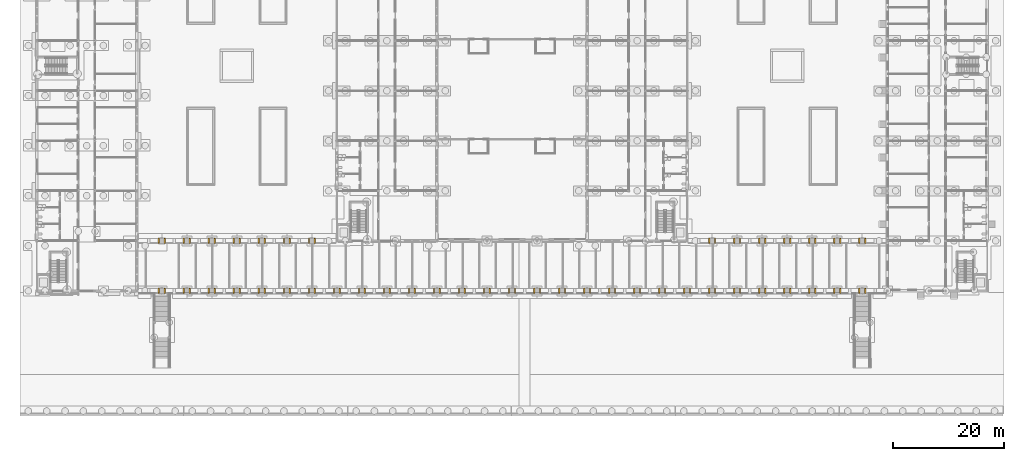
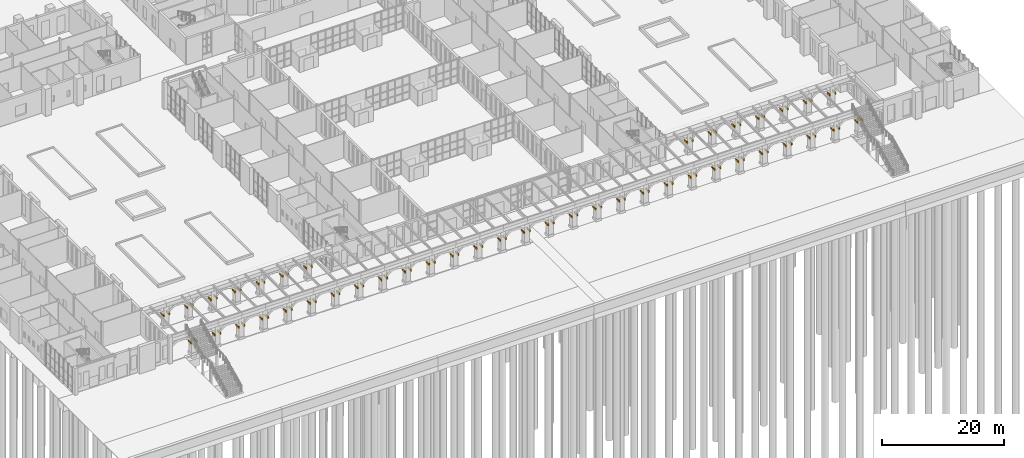
# One storey, part 165 of 168: 86 coverings.
"""IFC4 building model written with IfcOpenShell, lengths in metres."""

import ifcopenshell
import ifcopenshell.guid

model = None  # the IFC model being written
_history = None  # IfcOwnerHistory: only IFC2X3 demands one
_inside = {}  # id of a spatial element -> (the spatial element, [elements in it])
_under = {}  # id of a project, library or spatial element -> (it, [spatial elements below it])
_declared = {}  # id of a project -> (the project, [libraries it declares])
_typed = {}  # id of a type object -> (the type object, [elements of that type])
_made_of = {}  # id of a material, layer set ... -> (it, [elements and type objects made of it])


def new_model(schema):
    """Start an empty IFC model of exactly this schema.

    Asked for "IFC4X3", IfcOpenShell would pick the latest addendum, in which some entities
    have other attributes; the version numbers below select the first issue.
    IFC2X3 requires an IfcOwnerHistory on every rooted entity: one is made here for all.
    """
    global model, _history
    if schema == "IFC4X3":
        model = ifcopenshell.file(schema_version=(4, 3, 0, 0))
    else:
        model = ifcopenshell.file(schema=schema)
    _inside.clear()
    _under.clear()
    _declared.clear()
    _typed.clear()
    _made_of.clear()
    _history = None
    if model.schema == "IFC2X3":
        org = make("IfcOrganization", Name="unknown")
        user = make(
            "IfcPersonAndOrganization",
            ThePerson=make("IfcPerson", FamilyName="unknown"),
            TheOrganization=org,
        )
        app = make(
            "IfcApplication",
            ApplicationDeveloper=org,
            Version="unknown",
            ApplicationFullName="unknown",
            ApplicationIdentifier="unknown",
        )
        _history = make(
            "IfcOwnerHistory",
            OwningUser=user,
            OwningApplication=app,
            ChangeAction="ADDED",
            CreationDate=0,
        )
    return model


def make(cls, **values):
    """One entity of the class cls with the attributes given. An attribute that is None is left unset."""
    return model.create_entity(
        cls, **{name: value for name, value in values.items() if value is not None}
    )


def rooted(cls, **values):
    """An entity with a GlobalId (a new one), such as an element, a storey or a relation."""
    return make(cls, GlobalId=ifcopenshell.guid.new(), OwnerHistory=_history, **values)


def si_unit(unit_type, name, prefix=None):
    """IfcSIUnit, for example si_unit("LENGTHUNIT", "METRE", prefix="MILLI")."""
    return make("IfcSIUnit", UnitType=unit_type, Prefix=prefix, Name=name)


def assignment(units):
    """IfcUnitAssignment: the units of a project."""
    return None if units is None else make("IfcUnitAssignment", Units=units)


def point(xyz):
    """IfcCartesianPoint."""
    return None if xyz is None else make("IfcCartesianPoint", Coordinates=xyz)


def direction(xyz):
    """IfcDirection."""
    return None if xyz is None else make("IfcDirection", DirectionRatios=xyz)


def frame(location, z_axis=None, x_axis=None):
    """IfcAxis2Placement3D, a coordinate frame: its origin and axes. An axis left out is left unset."""
    return make(
        "IfcAxis2Placement3D",
        Location=point(location),
        Axis=direction(z_axis),
        RefDirection=direction(x_axis),
    )


def frame_2d(location, x_axis=None):
    """IfcAxis2Placement2D, a coordinate frame in the plane: its origin and x axis."""
    return make(
        "IfcAxis2Placement2D", Location=point(location), RefDirection=direction(x_axis)
    )


def origin():
    """The frame at (0, 0, 0) with its axes left unset."""
    return frame((0.0, 0.0, 0.0))


def origin_2d():
    """The frame at (0, 0) in the plane with its x axis left unset."""
    return frame_2d((0.0, 0.0))


def place(relative_to, where):
    """IfcLocalPlacement: puts the frame where relative to a parent placement (None: the world)."""
    return make(
        "IfcLocalPlacement", PlacementRelTo=relative_to, RelativePlacement=where
    )


def context(
    kind, dimensions, precision=None, world=None, true_north=None, identifier=None
):
    """IfcGeometricRepresentationContext, for example the 3D "Model" context."""
    return make(
        "IfcGeometricRepresentationContext",
        ContextIdentifier=identifier,
        ContextType=kind,
        CoordinateSpaceDimension=dimensions,
        Precision=precision,
        WorldCoordinateSystem=world,
        TrueNorth=true_north,
    )


def subcontext(parent, identifier, kind, view, scale=None):
    """IfcGeometricRepresentationSubContext, for example "Body" below "Model"."""
    return make(
        "IfcGeometricRepresentationSubContext",
        ContextIdentifier=identifier,
        ContextType=kind,
        ParentContext=parent,
        TargetScale=scale,
        TargetView=view,
    )


def project(units=None, contexts=None):
    """IfcProject with its units and contexts."""
    return rooted(
        "IfcProject",
        Name="project",
        RepresentationContexts=contexts,
        UnitsInContext=assignment(units),
    )


def spatial(cls, under=None, at=None, **own):
    """A site, building, storey or space (cls), placed at a placement, below another one or the project."""
    s = rooted(cls, ObjectPlacement=at, **own)
    if under is not None:
        _under.setdefault(under.id(), (under, []))[1].append(s)
    return s


def profile(cls, at=None, kind="AREA", **sizes):
    """A parametric profile (cls). Its sizes go by their IFC names, for example OverallWidth=200.0."""
    return make(cls, ProfileType=kind, Position=at, **sizes)


def rectangle(**sizes):
    """IfcRectangleProfileDef."""
    return profile("IfcRectangleProfileDef", **sizes)


def extrude(swept, where, along, depth):
    """IfcExtrudedAreaSolid: the profile swept, set in the frame where, extruded along a direction by depth."""
    return make(
        "IfcExtrudedAreaSolid",
        SweptArea=swept,
        Position=where,
        ExtrudedDirection=direction(along),
        Depth=depth,
    )


def shape(context_of_items, identifier, shape_type, items):
    """IfcShapeRepresentation: the items that make up one representation, for example the "Body"."""
    return make(
        "IfcShapeRepresentation",
        ContextOfItems=context_of_items,
        RepresentationIdentifier=identifier,
        RepresentationType=shape_type,
        Items=items,
    )


def material(Name=None, Category=None):
    """IfcMaterial."""
    return make("IfcMaterial", Name=Name, Category=Category)


def material_profile(
    of_material, cross_section, Name=None, Category=None, Priority=None
):
    """IfcMaterialProfile: a cross section and its material."""
    return make(
        "IfcMaterialProfile",
        Name=Name,
        Material=of_material,
        Profile=cross_section,
        Priority=Priority,
        Category=Category,
    )


def profile_set(profiles, Name=None, composite=None):
    """IfcMaterialProfileSet."""
    return make(
        "IfcMaterialProfileSet",
        Name=Name,
        MaterialProfiles=profiles,
        CompositeProfile=composite,
    )


def made_of(thing, what):
    """Note that an element or type object is made of a material, layer set ...; save() writes the relation."""
    if what is not None:
        _made_of.setdefault(what.id(), (what, []))[1].append(thing)
    return thing


def type_object(cls, material=None, **own):
    """A type object (cls), such as IfcWallType, which elements share."""
    return made_of(rooted(cls, **own), material)


def element(
    cls,
    number,
    at=None,
    inside=None,
    cuts=None,
    type_object=None,
    material=None,
    context=None,
    identifier="Body",
    shape_type=None,
    held_by="IfcProductDefinitionShape",
    body=None,
    shapes=None,
    **own,
):
    """One element of the class cls, such as IfcWall. Its Tag is "e" and its number.

    at: its placement. inside: the storey or other place that contains it. cuts: it is an
    opening in that element (IfcRelVoidsElement). A single representation is given by context,
    identifier, shape_type and body (its items); several are given by shapes. held_by: the class
    of the entity that holds the representations. save() writes the other relations.
    """
    e = rooted(cls, Tag="e%d" % number, ObjectPlacement=at, **own)
    if body is not None:
        shapes = [shape(context, identifier, shape_type, body)]
    if shapes is not None:
        e.Representation = make(held_by, Representations=shapes)
    if inside is not None:
        _inside.setdefault(inside.id(), (inside, []))[1].append(e)
    if cuts is not None:
        rooted(
            "IfcRelVoidsElement", RelatingBuildingElement=cuts, RelatedOpeningElement=e
        )
    if type_object is not None:
        _typed.setdefault(type_object.id(), (type_object, []))[1].append(e)
    return made_of(e, material)


def aggregate(whole, parts):
    """IfcRelAggregates: a whole, such as a stair, and the parts it consists of."""
    return rooted("IfcRelAggregates", RelatingObject=whole, RelatedObjects=parts)


def save(model, path):
    """Write the relations noted so far, then the file.

    IfcRelAggregates (storeys below a building ...), IfcRelContainedInSpatialStructure (elements
    in a storey), IfcRelDefinesByType, IfcRelAssociatesMaterial and IfcRelDeclares: one each for
    every whole, place, type object, material and project.
    """
    for whole, parts in _under.values():
        aggregate(whole, parts)
    for where, things in _inside.values():
        rooted(
            "IfcRelContainedInSpatialStructure",
            RelatedElements=things,
            RelatingStructure=where,
        )
    for kind, things in _typed.values():
        rooted("IfcRelDefinesByType", RelatedObjects=things, RelatingType=kind)
    for what, things in _made_of.values():
        rooted("IfcRelAssociatesMaterial", RelatedObjects=things, RelatingMaterial=what)
    for by, libraries in _declared.values():
        rooted("IfcRelDeclares", RelatingContext=by, RelatedDefinitions=libraries)
    model.write(path)


model = new_model("IFC4")

# Units and contexts
model_context = context("Model", 3, precision=1e-05, world=origin(), true_north=direction((0.0, 1.0)))
body_context = subcontext(model_context, "Body", "Model", "MODEL_VIEW")
ifc_project = project(units=[si_unit("LENGTHUNIT", "METRE"), si_unit("AREAUNIT", "SQUARE_METRE"), si_unit("VOLUMEUNIT", "CUBIC_METRE"), si_unit("PLANEANGLEUNIT", "RADIAN"), si_unit("MASSUNIT", "GRAM", prefix="KILO")], contexts=[model_context])

# Site, building, storey
site_placement = place(None, origin())
site = spatial("IfcSite", under=ifc_project, at=site_placement, CompositionType="ELEMENT")
building_placement = place(site_placement, origin())
building = spatial("IfcBuilding", under=site, at=building_placement, Name="Golden Quay Civic Hall", CompositionType="ELEMENT")
storey_placement = place(building_placement, origin())
storey = spatial("IfcBuildingStorey", under=building, at=storey_placement, Name="L00", CompositionType="ELEMENT", Elevation=0.0)

# Coverings
ifc_material = material(Name="Stone, buff limestone", Category="masonry")
ifc_material_profile = material_profile(ifc_material, rectangle(XDim=0.89990234375, YDim=0.35009765625, at=origin_2d()), Name="RC 900x350")
ifc_profile_set = profile_set([ifc_material_profile], Name="Stone, buff limestone")
covering_type = type_object("IfcCoveringType", Name="Stone impost block 150 x 350", PredefinedType="CLADDING", material=ifc_profile_set)
for number, where, z_axis, x_axis, name in (
    (1, (22.050048828125, -9.0, 2.52490234375), (-1.0, 0.0, 0.0), (0.0, -1.0, 0.0), "Impost block outer 22.5"),
    (2, (22.949951171875, -9.0, 2.52490234375), (1.0, 0.0, 0.0), (0.0, 1.0, 0.0), "Impost block outer 22.5"),
    (3, (26.550048828125, -9.0, 2.52490234375), (-1.0, 0.0, 0.0), (0.0, -1.0, 0.0), "Impost block outer 27"),
    (4, (27.449951171875, -9.0, 2.52490234375), (1.0, 0.0, 0.0), (0.0, 1.0, 0.0), "Impost block outer 27"),
    (5, (31.050048828125, -9.0, 2.52490234375), (-1.0, 0.0, 0.0), (0.0, -1.0, 0.0), "Impost block outer 31.5"),
    (6, (31.949951171875, -9.0, 2.52490234375), (1.0, 0.0, 0.0), (0.0, 1.0, 0.0), "Impost block outer 31.5"),
    (7, (35.550048828125, -9.0, 2.52490234375), (-1.0, 0.0, 0.0), (0.0, -1.0, 0.0), "Impost block outer 36"),
    (8, (36.449951171875, -9.0, 2.52490234375), (1.0, 0.0, 0.0), (0.0, 1.0, 0.0), "Impost block outer 36"),
    (9, (40.050048828125, -9.0, 2.52490234375), (-1.0, 0.0, 0.0), (0.0, -1.0, 0.0), "Impost block outer 40.5"),
    (10, (40.949951171875, -9.0, 2.52490234375), (1.0, 0.0, 0.0), (0.0, 1.0, 0.0), "Impost block outer 40.5"),
    (11, (44.550048828125, -9.0, 2.52490234375), (-1.0, 0.0, 0.0), (0.0, -1.0, 0.0), "Impost block outer 45"),
    (12, (45.449951171875, -9.0, 2.52490234375), (1.0, 0.0, 0.0), (0.0, 1.0, 0.0), "Impost block outer 45"),
    (13, (49.050048828125, -9.0, 2.52490234375), (-1.0, 0.0, 0.0), (0.0, -1.0, 0.0), "Impost block outer 49.5"),
    (14, (49.949951171875, -9.0, 2.52490234375), (1.0, 0.0, 0.0), (0.0, 1.0, 0.0), "Impost block outer 49.5"),
    (15, (53.550048828125, -9.0, 2.52490234375), (-1.0, 0.0, 0.0), (0.0, -1.0, 0.0), "Impost block outer 54"),
    (16, (54.449951171875, -9.0, 2.52490234375), (1.0, 0.0, 0.0), (0.0, 1.0, 0.0), "Impost block outer 54"),
    (17, (58.050048828125, -9.0, 2.52490234375), (-1.0, 0.0, 0.0), (0.0, -1.0, 0.0), "Impost block outer 58.5"),
    (18, (58.949951171875, -9.0, 2.52490234375), (1.0, 0.0, 0.0), (0.0, 1.0, 0.0), "Impost block outer 58.5"),
    (19, (62.550048828125, -9.0, 2.52490234375), (-1.0, 0.0, 0.0), (0.0, -1.0, 0.0), "Impost block outer 63"),
    (20, (63.449951171875, -9.0, 2.52490234375), (1.0, 0.0, 0.0), (0.0, 1.0, 0.0), "Impost block outer 63"),
    (21, (67.050048828125, -9.0, 2.52490234375), (-1.0, 0.0, 0.0), (0.0, -1.0, 0.0), "Impost block outer 67.5"),
    (22, (67.949951171875, -9.0, 2.52490234375), (1.0, 0.0, 0.0), (0.0, 1.0, 0.0), "Impost block outer 67.5"),
    (23, (71.550048828125, -9.0, 2.52490234375), (-1.0, 0.0, 0.0), (0.0, -1.0, 0.0), "Impost block outer 72"),
    (24, (72.449951171875, -9.0, 2.52490234375), (1.0, 0.0, 0.0), (0.0, 1.0, 0.0), "Impost block outer 72"),
    (25, (76.050048828125, -9.0, 2.52490234375), (-1.0, 0.0, 0.0), (0.0, -1.0, 0.0), "Impost block outer 76.5"),
    (26, (76.949951171875, -9.0, 2.52490234375), (1.0, 0.0, 0.0), (0.0, 1.0, 0.0), "Impost block outer 76.5"),
    (27, (80.550048828125, -9.0, 2.52490234375), (-1.0, 0.0, 0.0), (0.0, -1.0, 0.0), "Impost block outer 81"),
    (28, (81.449951171875, -9.0, 2.52490234375), (1.0, 0.0, 0.0), (0.0, 1.0, 0.0), "Impost block outer 81"),
    (29, (85.050048828125, -9.0, 2.52490234375), (-1.0, 0.0, 0.0), (0.0, -1.0, 0.0), "Impost block outer 85.5"),
    (30, (85.949951171875, -9.0, 2.52490234375), (1.0, 0.0, 0.0), (0.0, 1.0, 0.0), "Impost block outer 85.5"),
    (31, (89.550048828125, -9.0, 2.52490234375), (-1.0, 0.0, 0.0), (0.0, -1.0, 0.0), "Impost block outer 90"),
    (32, (90.449951171875, -9.0, 2.52490234375), (1.0, 0.0, 0.0), (0.0, 1.0, 0.0), "Impost block outer 90"),
    (33, (94.050048828125, -9.0, 2.52490234375), (-1.0, 0.0, 0.0), (0.0, -1.0, 0.0), "Impost block outer 94.5"),
    (34, (94.949951171875, -9.0, 2.52490234375), (1.0, 0.0, 0.0), (0.0, 1.0, 0.0), "Impost block outer 94.5"),
    (35, (98.550048828125, -9.0, 2.52490234375), (-1.0, 0.0, 0.0), (0.0, -1.0, 0.0), "Impost block outer 99"),
    (36, (99.449951171875, -9.0, 2.52490234375), (1.0, 0.0, 0.0), (0.0, 1.0, 0.0), "Impost block outer 99"),
    (37, (103.050048828125, -9.0, 2.52490234375), (-1.0, 0.0, 0.0), (0.0, -1.0, 0.0), "Impost block outer 103.5"),
    (38, (103.949951171875, -9.0, 2.52490234375), (1.0, 0.0, 0.0), (0.0, 1.0, 0.0), "Impost block outer 103.5"),
    (39, (107.550048828125, -9.0, 2.52490234375), (-1.0, 0.0, 0.0), (0.0, -1.0, 0.0), "Impost block outer 108"),
    (40, (108.449951171875, -9.0, 2.52490234375), (1.0, 0.0, 0.0), (0.0, 1.0, 0.0), "Impost block outer 108"),
    (41, (112.050048828125, -9.0, 2.52490234375), (-1.0, 0.0, 0.0), (0.0, -1.0, 0.0), "Impost block outer 112.5"),
    (42, (112.949951171875, -9.0, 2.52490234375), (1.0, 0.0, 0.0), (0.0, 1.0, 0.0), "Impost block outer 112.5"),
    (43, (116.550048828125, -9.0, 2.52490234375), (-1.0, 0.0, 0.0), (0.0, -1.0, 0.0), "Impost block outer 117"),
    (44, (117.449951171875, -9.0, 2.52490234375), (1.0, 0.0, 0.0), (0.0, 1.0, 0.0), "Impost block outer 117"),
    (45, (121.050048828125, -9.0, 2.52490234375), (-1.0, 0.0, 0.0), (0.0, -1.0, 0.0), "Impost block outer 121.5"),
    (46, (121.949951171875, -9.0, 2.52490234375), (1.0, 0.0, 0.0), (0.0, 1.0, 0.0), "Impost block outer 121.5"),
    (47, (125.550048828125, -9.0, 2.52490234375), (-1.0, 0.0, 0.0), (0.0, -1.0, 0.0), "Impost block outer 126"),
    (48, (126.449951171875, -9.0, 2.52490234375), (1.0, 0.0, 0.0), (0.0, 1.0, 0.0), "Impost block outer 126"),
    (49, (130.050048828125, -9.0, 2.52490234375), (-1.0, 0.0, 0.0), (0.0, -1.0, 0.0), "Impost block outer 130.5"),
    (50, (130.949951171875, -9.0, 2.52490234375), (1.0, 0.0, 0.0), (0.0, 1.0, 0.0), "Impost block outer 130.5"),
    (51, (134.550048828125, -9.0, 2.52490234375), (-1.0, 0.0, 0.0), (0.0, -1.0, 0.0), "Impost block outer 135"),
    (52, (135.449951171875, -9.0, 2.52490234375), (1.0, 0.0, 0.0), (0.0, 1.0, 0.0), "Impost block outer 135"),
    (53, (139.050048828125, -9.0, 2.52490234375), (-1.0, 0.0, 0.0), (0.0, -1.0, 0.0), "Impost block outer 139.5"),
    (54, (139.949951171875, -9.0, 2.52490234375), (1.0, 0.0, 0.0), (0.0, 1.0, 0.0), "Impost block outer 139.5"),
    (55, (143.550048828125, -9.0, 2.52490234375), (-1.0, 0.0, 0.0), (0.0, -1.0, 0.0), "Impost block outer 144"),
    (56, (144.449951171875, -9.0, 2.52490234375), (1.0, 0.0, 0.0), (0.0, 1.0, 0.0), "Impost block outer 144"),
    (57, (148.050048828125, -9.0, 2.52490234375), (-1.0, 0.0, 0.0), (0.0, -1.0, 0.0), "Impost block outer 148.5"),
    (58, (148.949951171875, -9.0, 2.52490234375), (1.0, 0.0, 0.0), (0.0, 1.0, 0.0), "Impost block outer 148.5"),
    (59, (22.050048828125, 0.0, 2.52490234375), (-1.0, 0.0, 0.0), (0.0, -1.0, 0.0), "Impost block inner0 22.5"),
    (60, (22.949951171875, 0.0, 2.52490234375), (1.0, 0.0, 0.0), (0.0, 1.0, 0.0), "Impost block inner0 22.5"),
    (61, (26.550048828125, 0.0, 2.52490234375), (-1.0, 0.0, 0.0), (0.0, -1.0, 0.0), "Impost block inner0 27"),
    (62, (27.449951171875, 0.0, 2.52490234375), (1.0, 0.0, 0.0), (0.0, 1.0, 0.0), "Impost block inner0 27"),
    (63, (31.050048828125, 0.0, 2.52490234375), (-1.0, 0.0, 0.0), (0.0, -1.0, 0.0), "Impost block inner0 31.5"),
    (64, (31.949951171875, 0.0, 2.52490234375), (1.0, 0.0, 0.0), (0.0, 1.0, 0.0), "Impost block inner0 31.5"),
    (65, (35.550048828125, 0.0, 2.52490234375), (-1.0, 0.0, 0.0), (0.0, -1.0, 0.0), "Impost block inner0 36"),
    (66, (36.449951171875, 0.0, 2.52490234375), (1.0, 0.0, 0.0), (0.0, 1.0, 0.0), "Impost block inner0 36"),
    (67, (40.050048828125, 0.0, 2.52490234375), (-1.0, 0.0, 0.0), (0.0, -1.0, 0.0), "Impost block inner0 40.5"),
    (68, (40.949951171875, 0.0, 2.52490234375), (1.0, 0.0, 0.0), (0.0, 1.0, 0.0), "Impost block inner0 40.5"),
    (69, (44.550048828125, 0.0, 2.52490234375), (-1.0, 0.0, 0.0), (0.0, -1.0, 0.0), "Impost block inner0 45"),
    (70, (45.449951171875, 0.0, 2.52490234375), (1.0, 0.0, 0.0), (0.0, 1.0, 0.0), "Impost block inner0 45"),
    (71, (49.050048828125, 0.0, 2.52490234375), (-1.0, 0.0, 0.0), (0.0, -1.0, 0.0), "Impost block inner0 49.5"),
    (72, (49.949951171875, 0.0, 2.52490234375), (1.0, 0.0, 0.0), (0.0, 1.0, 0.0), "Impost block inner0 49.5"),
    (73, (121.050048828125, 0.0, 2.52490234375), (-1.0, 0.0, 0.0), (0.0, -1.0, 0.0), "Impost block inner1 121.5"),
    (74, (121.949951171875, 0.0, 2.52490234375), (1.0, 0.0, 0.0), (0.0, 1.0, 0.0), "Impost block inner1 121.5"),
    (75, (125.550048828125, 0.0, 2.52490234375), (-1.0, 0.0, 0.0), (0.0, -1.0, 0.0), "Impost block inner1 126"),
    (76, (126.449951171875, 0.0, 2.52490234375), (1.0, 0.0, 0.0), (0.0, 1.0, 0.0), "Impost block inner1 126"),
    (77, (130.050048828125, 0.0, 2.52490234375), (-1.0, 0.0, 0.0), (0.0, -1.0, 0.0), "Impost block inner1 130.5"),
    (78, (130.949951171875, 0.0, 2.52490234375), (1.0, 0.0, 0.0), (0.0, 1.0, 0.0), "Impost block inner1 130.5"),
    (79, (134.550048828125, 0.0, 2.52490234375), (-1.0, 0.0, 0.0), (0.0, -1.0, 0.0), "Impost block inner1 135"),
    (80, (135.449951171875, 0.0, 2.52490234375), (1.0, 0.0, 0.0), (0.0, 1.0, 0.0), "Impost block inner1 135"),
    (81, (139.050048828125, 0.0, 2.52490234375), (-1.0, 0.0, 0.0), (0.0, -1.0, 0.0), "Impost block inner1 139.5"),
    (82, (139.949951171875, 0.0, 2.52490234375), (1.0, 0.0, 0.0), (0.0, 1.0, 0.0), "Impost block inner1 139.5"),
    (83, (143.550048828125, 0.0, 2.52490234375), (-1.0, 0.0, 0.0), (0.0, -1.0, 0.0), "Impost block inner1 144"),
    (84, (144.449951171875, 0.0, 2.52490234375), (1.0, 0.0, 0.0), (0.0, 1.0, 0.0), "Impost block inner1 144"),
    (85, (148.050048828125, 0.0, 2.52490234375), (-1.0, 0.0, 0.0), (0.0, -1.0, 0.0), "Impost block inner1 148.5"),
    (86, (148.949951171875, 0.0, 2.52490234375), (1.0, 0.0, 0.0), (0.0, 1.0, 0.0), "Impost block inner1 148.5"),
):
    element("IfcCovering", number, at=place(storey_placement, frame(where, z_axis=z_axis, x_axis=x_axis)), inside=storey, type_object=covering_type, Name=name, PredefinedType="CLADDING", context=body_context, shape_type="SweptSolid", body=[
        extrude(rectangle(XDim=0.89990234375, YDim=0.35009765625, at=origin_2d()), origin(), (0.0, 0.0, 1.0), 0.150146484375),
    ])

save(model, "model.ifc")
